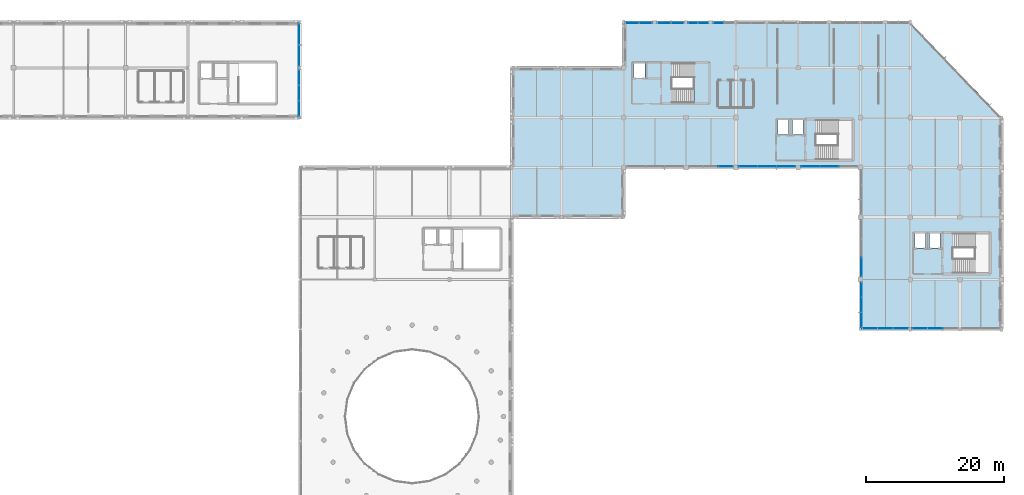
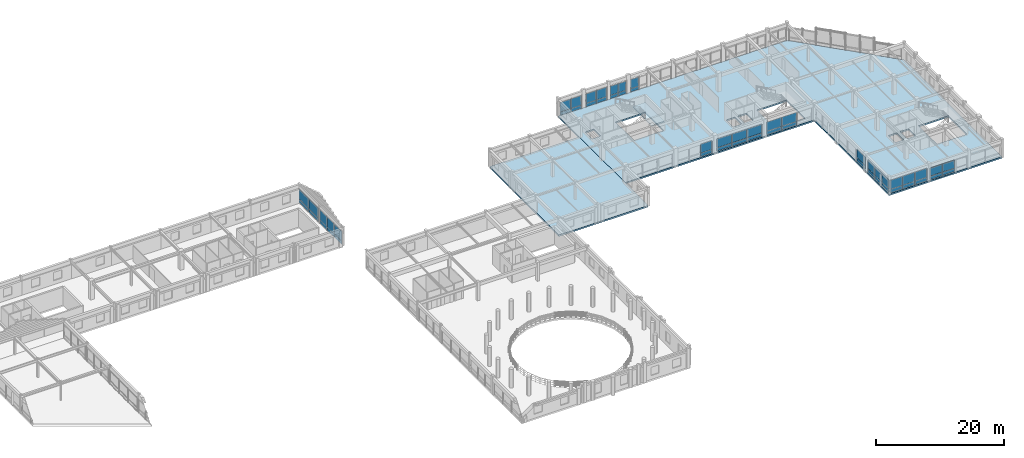
# One storey, part 34 of 52: 54 plates, 3 slabs, 14 elements without a shape of their own.
"""IFC4 building model written with IfcOpenShell, lengths in metres."""

from ifc_helpers import new_model, si_unit, direction, frame, frame_2d, origin, place, context, subcontext, project, spatial, polyline, rectangle, outline, extrude, material, layer, layer_set, type_object, element, aggregate, save


model = new_model("IFC4")

# Units and contexts
model_context = context("Model", 3, precision=1e-05, world=origin(), true_north=direction((0.0, 1.0)))
body_context = subcontext(model_context, "Body", "Model", "MODEL_VIEW")
ifc_project = project(units=[si_unit("LENGTHUNIT", "METRE"), si_unit("AREAUNIT", "SQUARE_METRE"), si_unit("VOLUMEUNIT", "CUBIC_METRE"), si_unit("PLANEANGLEUNIT", "RADIAN"), si_unit("MASSUNIT", "GRAM", prefix="KILO")], contexts=[model_context])

# Site, building, storey
site_placement = place(None, origin())
site = spatial("IfcSite", under=ifc_project, at=site_placement, CompositionType="ELEMENT")
building_placement = place(site_placement, origin())
building = spatial("IfcBuilding", under=site, at=building_placement, Name="Clarverna Civic Hall", CompositionType="ELEMENT")
storey_placement = place(building_placement, frame((0.0, 0.0, 16.800048828125)))
storey = spatial("IfcBuildingStorey", under=building, at=storey_placement, Name="L04", CompositionType="ELEMENT", Elevation=16.800048828125)

# Curtain wall, plates
ifc_material_1 = material(Name="Anodised Bronze Architectural Aluminium", Category="aluminium")
curtain_wall_type_1 = type_object("IfcCurtainWallType", Name="CW-01", PredefinedType="USERDEFINED", material=ifc_material_1)
curtain_wall_1_placement = place(storey_placement, origin())
curtain_wall_1 = element("IfcCurtainWall", 1, at=curtain_wall_1_placement, inside=storey, type_object=curtain_wall_type_1, Name="CW-01-077", ObjectType="UNITISED CURTAIN WALL", PredefinedType="USERDEFINED")
ifc_material_2 = material(Name="Solar-Control Argon Low-E Double Glazing", Category="glass")
ifc_layer_1 = layer(ifc_material_2, 0.031982421875)
ifc_layer_set_1 = layer_set([ifc_layer_1], Name="Solar-Control Argon Low-E Double Glazing")
plate_type_1 = type_object("IfcPlateType", Name="CWP-01", PredefinedType="CURTAIN_PANEL", material=ifc_layer_set_1)
plate_1_placement = place(storey_placement, frame((113.68798828125, 115.860107421875, 0.764892578125), z_axis=(0.0, 0.0, 1.0), x_axis=(1.0, 0.0, 0.0)))
plate_1 = element("IfcPlate", 2, at=plate_1_placement, type_object=plate_type_1, Name="CWP-01-484", PredefinedType="CURTAIN_PANEL", context=body_context, shape_type="SweptSolid", body=[
    extrude(rectangle(XDim=1.884521484375, YDim=0.031982421875, at=frame_2d((0.9423828125, 0.0))), origin(), (0.0, 0.0, 1.0), 1.824951171875),
])
plate_2_placement = place(storey_placement, frame((115.6025390625, 115.860107421875, 0.764892578125), z_axis=(0.0, 0.0, 1.0), x_axis=(1.0, 0.0, 0.0)))
plate_2 = element("IfcPlate", 3, at=plate_2_placement, type_object=plate_type_1, Name="CWP-01-485", PredefinedType="CURTAIN_PANEL", context=body_context, shape_type="SweptSolid", body=[
    extrude(rectangle(XDim=1.884521484375, YDim=0.031982421875, at=frame_2d((0.9423828125, 0.0))), origin(), (0.0, 0.0, 1.0), 1.824951171875),
])

curtain_wall_2_placement = place(storey_placement, origin())
curtain_wall_2 = element("IfcCurtainWall", 4, at=curtain_wall_2_placement, inside=storey, type_object=curtain_wall_type_1, Name="CW-01-078", ObjectType="UNITISED CURTAIN WALL", PredefinedType="USERDEFINED")
plate_3_placement = place(storey_placement, frame((118.31298828125, 115.860107421875, 0.764892578125), z_axis=(0.0, 0.0, 1.0), x_axis=(1.0, 0.0, 0.0)))
plate_3 = element("IfcPlate", 5, at=plate_3_placement, type_object=plate_type_1, Name="CWP-01-486", PredefinedType="CURTAIN_PANEL", context=body_context, shape_type="SweptSolid", body=[
    extrude(rectangle(XDim=1.8720703125, YDim=0.031982421875, at=frame_2d((0.93603515625, 0.0))), origin(), (0.0, 0.0, 1.0), 1.824951171875),
])
plate_4_placement = place(storey_placement, frame((120.215087890625, 115.860107421875, 0.764892578125), z_axis=(0.0, 0.0, 1.0), x_axis=(1.0, 0.0, 0.0)))
plate_4 = element("IfcPlate", 6, at=plate_4_placement, type_object=plate_type_1, Name="CWP-01-487", PredefinedType="CURTAIN_PANEL", context=body_context, shape_type="SweptSolid", body=[
    extrude(rectangle(XDim=1.871826171875, YDim=0.031982421875, at=frame_2d((0.93603515625, 0.0))), origin(), (0.0, 0.0, 1.0), 1.824951171875),
])

curtain_wall_3_placement = place(storey_placement, origin())
curtain_wall_3 = element("IfcCurtainWall", 7, at=curtain_wall_3_placement, inside=storey, type_object=curtain_wall_type_1, Name="CW-01-079", ObjectType="UNITISED CURTAIN WALL", PredefinedType="USERDEFINED")
plate_5_placement = place(storey_placement, frame((122.712890625, 115.860107421875, 0.764892578125), z_axis=(0.0, 0.0, 1.0), x_axis=(1.0, 0.0, 0.0)))
plate_5 = element("IfcPlate", 8, at=plate_5_placement, type_object=plate_type_1, Name="CWP-01-488", PredefinedType="CURTAIN_PANEL", context=body_context, shape_type="SweptSolid", body=[
    extrude(rectangle(XDim=1.422119140625, YDim=0.031982421875, at=frame_2d((0.7109375, 0.0))), origin(), (0.0, 0.0, 1.0), 1.72509765625),
])
plate_6_placement = place(storey_placement, frame((124.1650390625, 115.860107421875, 0.764892578125), z_axis=(0.0, 0.0, 1.0), x_axis=(1.0, 0.0, 0.0)))
plate_6 = element("IfcPlate", 9, at=plate_6_placement, type_object=plate_type_1, Name="CWP-01-489", PredefinedType="CURTAIN_PANEL", context=body_context, shape_type="SweptSolid", body=[
    extrude(rectangle(XDim=1.421875, YDim=0.031982421875, at=frame_2d((0.7109375, 0.0))), origin(), (0.0, 0.0, 1.0), 1.72509765625),
])

# Curtain wall, plate
curtain_wall_4_placement = place(storey_placement, origin())
curtain_wall_4 = element("IfcCurtainWall", 10, at=curtain_wall_4_placement, inside=storey, type_object=curtain_wall_type_1, Name="CW-01-080", ObjectType="UNITISED CURTAIN WALL", PredefinedType="USERDEFINED")
plate_7_placement = place(storey_placement, frame((126.4130859375, 115.860107421875, 0.764892578125), z_axis=(0.0, 0.0, 1.0), x_axis=(1.0, 0.0, 0.0)))
plate_7 = element("IfcPlate", 11, at=plate_7_placement, type_object=plate_type_1, Name="CWP-01-490", PredefinedType="CURTAIN_PANEL", context=body_context, shape_type="SweptSolid", body=[
    extrude(rectangle(XDim=1.434326171875, YDim=0.031982421875, at=frame_2d((0.71728515625, 0.0))), origin(), (0.0, 0.0, 1.0), 1.72509765625),
])

# Curtain wall, plates
curtain_wall_5_placement = place(storey_placement, origin())
curtain_wall_5 = element("IfcCurtainWall", 12, at=curtain_wall_5_placement, inside=storey, type_object=curtain_wall_type_1, Name="CW-01-092", ObjectType="UNITISED CURTAIN WALL", PredefinedType="USERDEFINED")
plate_8_placement = place(storey_placement, frame((159.477294921875, 71.739990234375, 0.764892578125), z_axis=(0.0, 0.0, 1.0), x_axis=(-1.0, 0.0, 0.0)))
plate_8 = element("IfcPlate", 13, at=plate_8_placement, type_object=plate_type_1, Name="CWP-01-515", PredefinedType="CURTAIN_PANEL", context=body_context, shape_type="SweptSolid", body=[
    extrude(rectangle(XDim=2.1796875, YDim=0.031982421875, at=frame_2d((1.08984375, 0.0))), origin(), (0.0, 0.0, 1.0), 1.545166015625),
])
plate_9_placement = place(storey_placement, frame((157.267578125, 71.739990234375, 0.764892578125), z_axis=(0.0, 0.0, 1.0), x_axis=(-1.0, 0.0, 0.0)))
plate_9 = element("IfcPlate", 14, at=plate_9_placement, type_object=plate_type_1, Name="CWP-01-516", PredefinedType="CURTAIN_PANEL", context=body_context, shape_type="SweptSolid", body=[
    extrude(rectangle(XDim=2.1796875, YDim=0.031982421875, at=frame_2d((1.08984375, 0.0))), origin(), (0.0, 0.0, 1.0), 1.545166015625),
])

curtain_wall_6_placement = place(storey_placement, origin())
curtain_wall_6 = element("IfcCurtainWall", 15, at=curtain_wall_6_placement, inside=storey, type_object=curtain_wall_type_1, Name="CW-01-093", ObjectType="UNITISED CURTAIN WALL", PredefinedType="USERDEFINED")
plate_10_placement = place(storey_placement, frame((154.511962890625, 71.739990234375, 0.764892578125), z_axis=(0.0, 0.0, 1.0), x_axis=(-1.0, 0.0, 0.0)))
plate_10 = element("IfcPlate", 16, at=plate_10_placement, type_object=plate_type_1, Name="CWP-01-517", PredefinedType="CURTAIN_PANEL", context=body_context, shape_type="SweptSolid", body=[
    extrude(rectangle(XDim=2.18798828125, YDim=0.031982421875, at=frame_2d((1.093994140625, 0.0))), origin(), (0.0, 0.0, 1.0), 1.72509765625),
])
plate_11_placement = place(storey_placement, frame((152.2939453125, 71.739990234375, 0.764892578125), z_axis=(0.0, 0.0, 1.0), x_axis=(-1.0, 0.0, 0.0)))
plate_11 = element("IfcPlate", 17, at=plate_11_placement, type_object=plate_type_1, Name="CWP-01-518", PredefinedType="CURTAIN_PANEL", context=body_context, shape_type="SweptSolid", body=[
    extrude(rectangle(XDim=2.18798828125, YDim=0.031982421875, at=frame_2d((1.093994140625, 0.0))), origin(), (0.0, 0.0, 1.0), 1.72509765625),
])
plate_12_placement = place(storey_placement, frame((150.075927734375, 71.739990234375, 0.764892578125), z_axis=(0.0, 0.0, 1.0), x_axis=(-1.0, 0.0, 0.0)))
plate_12 = element("IfcPlate", 18, at=plate_12_placement, type_object=plate_type_1, Name="CWP-01-519", PredefinedType="CURTAIN_PANEL", context=body_context, shape_type="SweptSolid", body=[
    extrude(rectangle(XDim=2.18798828125, YDim=0.031982421875, at=frame_2d((1.093994140625, 0.0))), origin(), (0.0, 0.0, 1.0), 1.72509765625),
])

curtain_wall_7_placement = place(storey_placement, origin())
curtain_wall_7 = element("IfcCurtainWall", 19, at=curtain_wall_7_placement, inside=storey, type_object=curtain_wall_type_1, Name="CW-01-094", ObjectType="UNITISED CURTAIN WALL", PredefinedType="USERDEFINED")
plate_13_placement = place(storey_placement, frame((147.739990234375, 71.887939453125, 0.764892578125), z_axis=(0.0, 0.0, 1.0), x_axis=(0.0, 1.0, 0.0)))
plate_13 = element("IfcPlate", 20, at=plate_13_placement, type_object=plate_type_1, Name="CWP-01-520", PredefinedType="CURTAIN_PANEL", context=body_context, shape_type="SweptSolid", body=[
    extrude(rectangle(XDim=2.137939453125, YDim=0.031982421875, at=frame_2d((1.06884765625, 0.0))), origin(), (0.0, 0.0, 1.0), 1.72509765625),
])
plate_14_placement = place(storey_placement, frame((147.739990234375, 74.055908203125, 0.764892578125), z_axis=(0.0, 0.0, 1.0), x_axis=(0.0, 1.0, 0.0)))
plate_14 = element("IfcPlate", 21, at=plate_14_placement, type_object=plate_type_1, Name="CWP-01-521", PredefinedType="CURTAIN_PANEL", context=body_context, shape_type="SweptSolid", body=[
    extrude(rectangle(XDim=2.13818359375, YDim=0.031982421875, at=frame_2d((1.069091796875, 0.0))), origin(), (0.0, 0.0, 1.0), 1.72509765625),
])
plate_15_placement = place(storey_placement, frame((147.739990234375, 76.22412109375, 0.764892578125), z_axis=(0.0, 0.0, 1.0), x_axis=(0.0, 1.0, 0.0)))
plate_15 = element("IfcPlate", 22, at=plate_15_placement, type_object=plate_type_1, Name="CWP-01-522", PredefinedType="CURTAIN_PANEL", context=body_context, shape_type="SweptSolid", body=[
    extrude(rectangle(XDim=2.137939453125, YDim=0.031982421875, at=frame_2d((1.06884765625, 0.0))), origin(), (0.0, 0.0, 1.0), 1.72509765625),
])

# Curtain wall, plate
curtain_wall_8_placement = place(storey_placement, origin())
curtain_wall_8 = element("IfcCurtainWall", 23, at=curtain_wall_8_placement, inside=storey, type_object=curtain_wall_type_1, Name="CW-01-095", ObjectType="UNITISED CURTAIN WALL", PredefinedType="USERDEFINED")
plate_16_placement = place(storey_placement, frame((147.739990234375, 79.238037109375, 0.764892578125), z_axis=(0.0, 0.0, 1.0), x_axis=(0.0, 1.0, 0.0)))
plate_16 = element("IfcPlate", 24, at=plate_16_placement, type_object=plate_type_1, Name="CWP-01-523", PredefinedType="CURTAIN_PANEL", context=body_context, shape_type="SweptSolid", body=[
    extrude(rectangle(XDim=2.68798828125, YDim=0.031982421875, at=frame_2d((1.343994140625, 0.0))), origin(), (0.0, 0.0, 1.0), 1.64501953125),
])

# Curtain wall, plates
curtain_wall_9_placement = place(storey_placement, origin())
curtain_wall_9 = element("IfcCurtainWall", 25, at=curtain_wall_9_placement, inside=storey, type_object=curtain_wall_type_1, Name="CW-01-097", ObjectType="UNITISED CURTAIN WALL", PredefinedType="USERDEFINED")
plate_17_placement = place(storey_placement, frame((144.444091796875, 95.139892578125, 0.764892578125), z_axis=(0.0, 0.0, 1.0), x_axis=(-1.0, 0.0, 0.0)))
plate_17 = element("IfcPlate", 26, at=plate_17_placement, type_object=plate_type_1, Name="CWP-01-530", PredefinedType="CURTAIN_PANEL", context=body_context, shape_type="SweptSolid", body=[
    extrude(rectangle(XDim=2.68798828125, YDim=0.031982421875, at=frame_2d((1.343994140625, 0.0))), origin(), (0.0, 0.0, 1.0), 1.7451171875),
])
plate_18_placement = place(storey_placement, frame((141.72607421875, 95.139892578125, 0.764892578125), z_axis=(0.0, 0.0, 1.0), x_axis=(-1.0, 0.0, 0.0)))
plate_18 = element("IfcPlate", 27, at=plate_18_placement, type_object=plate_type_1, Name="CWP-01-531", PredefinedType="CURTAIN_PANEL", context=body_context, shape_type="SweptSolid", body=[
    extrude(rectangle(XDim=2.68798828125, YDim=0.031982421875, at=frame_2d((1.343994140625, 0.0))), origin(), (0.0, 0.0, 1.0), 1.7451171875),
])

curtain_wall_10_placement = place(storey_placement, origin())
curtain_wall_10 = element("IfcCurtainWall", 28, at=curtain_wall_10_placement, inside=storey, type_object=curtain_wall_type_1, Name="CW-01-098", ObjectType="UNITISED CURTAIN WALL", PredefinedType="USERDEFINED")
plate_19_placement = place(storey_placement, frame((138.162109375, 95.139892578125, 0.764892578125), z_axis=(0.0, 0.0, 1.0), x_axis=(-1.0, 0.0, 0.0)))
plate_19 = element("IfcPlate", 29, at=plate_19_placement, type_object=plate_type_1, Name="CWP-01-532", PredefinedType="CURTAIN_PANEL", context=body_context, shape_type="SweptSolid", body=[
    extrude(rectangle(XDim=2.68798828125, YDim=0.031982421875, at=frame_2d((1.343994140625, 0.0))), origin(), (0.0, 0.0, 1.0), 1.695068359375),
])
plate_20_placement = place(storey_placement, frame((135.444091796875, 95.139892578125, 0.764892578125), z_axis=(0.0, 0.0, 1.0), x_axis=(-1.0, 0.0, 0.0)))
plate_20 = element("IfcPlate", 30, at=plate_20_placement, type_object=plate_type_1, Name="CWP-01-533", PredefinedType="CURTAIN_PANEL", context=body_context, shape_type="SweptSolid", body=[
    extrude(rectangle(XDim=2.68798828125, YDim=0.031982421875, at=frame_2d((1.343994140625, 0.0))), origin(), (0.0, 0.0, 1.0), 1.695068359375),
])
plate_21_placement = place(storey_placement, frame((132.72607421875, 95.139892578125, 0.764892578125), z_axis=(0.0, 0.0, 1.0), x_axis=(-1.0, 0.0, 0.0)))
plate_21 = element("IfcPlate", 31, at=plate_21_placement, type_object=plate_type_1, Name="CWP-01-534", PredefinedType="CURTAIN_PANEL", context=body_context, shape_type="SweptSolid", body=[
    extrude(rectangle(XDim=2.68798828125, YDim=0.031982421875, at=frame_2d((1.343994140625, 0.0))), origin(), (0.0, 0.0, 1.0), 1.695068359375),
])

# Curtain wall, plate
curtain_wall_11_placement = place(storey_placement, origin())
curtain_wall_11 = element("IfcCurtainWall", 32, at=curtain_wall_11_placement, inside=storey, type_object=curtain_wall_type_1, Name="CW-01-099", ObjectType="UNITISED CURTAIN WALL", PredefinedType="USERDEFINED")
plate_22_placement = place(storey_placement, frame((129.162109375, 95.139892578125, 0.764892578125), z_axis=(0.0, 0.0, 1.0), x_axis=(-1.0, 0.0, 0.0)))
plate_22 = element("IfcPlate", 33, at=plate_22_placement, type_object=plate_type_1, Name="CWP-01-535", PredefinedType="CURTAIN_PANEL", context=body_context, shape_type="SweptSolid", body=[
    extrude(rectangle(XDim=2.088134765625, YDim=0.031982421875, at=frame_2d((1.0439453125, 0.0))), origin(), (0.0, 0.0, 1.0), 1.695068359375),
])

# Curtain wall, plates
curtain_wall_type_2 = type_object("IfcCurtainWallType", Name="CW-05", PredefinedType="USERDEFINED", material=ifc_material_1)
curtain_wall_12_placement = place(storey_placement, origin())
curtain_wall_12 = element("IfcCurtainWall", 34, at=curtain_wall_12_placement, inside=storey, type_object=curtain_wall_type_2, Name="CW-05-030", ObjectType="UNITISED CURTAIN WALL", PredefinedType="USERDEFINED")
plate_23_placement = place(storey_placement, frame((66.43505859375, 115.741943359375, 0.764892578125), z_axis=(0.0, 0.0, 1.0), x_axis=(0.0, -1.0, 0.0)))
plate_23 = element("IfcPlate", 35, at=plate_23_placement, type_object=plate_type_1, Name="CWP-01-561", PredefinedType="CURTAIN_PANEL", context=body_context, shape_type="SweptSolid", body=[
    extrude(rectangle(XDim=3.02197265625, YDim=0.031982421875, at=frame_2d((1.510986328125, 0.0))), origin(), (0.0, 0.0, 1.0), 1.864990234375),
])
plate_24_placement = place(storey_placement, frame((66.43505859375, 112.68994140625, 0.764892578125), z_axis=(0.0, 0.0, 1.0), x_axis=(0.0, -1.0, 0.0)))
plate_24 = element("IfcPlate", 36, at=plate_24_placement, type_object=plate_type_1, Name="CWP-01-562", PredefinedType="CURTAIN_PANEL", context=body_context, shape_type="SweptSolid", body=[
    extrude(rectangle(XDim=3.02197265625, YDim=0.031982421875, at=frame_2d((1.510986328125, 0.0))), origin(), (0.0, 0.0, 1.0), 1.864990234375),
])

curtain_wall_13_placement = place(storey_placement, origin())
curtain_wall_13 = element("IfcCurtainWall", 37, at=curtain_wall_13_placement, inside=storey, type_object=curtain_wall_type_2, Name="CW-05-031", ObjectType="UNITISED CURTAIN WALL", PredefinedType="USERDEFINED")
plate_25_placement = place(storey_placement, frame((66.43505859375, 109.132080078125, 0.764892578125), z_axis=(0.0, 0.0, 1.0), x_axis=(0.0, -1.0, 0.0)))
plate_25 = element("IfcPlate", 38, at=plate_25_placement, type_object=plate_type_1, Name="CWP-01-563", PredefinedType="CURTAIN_PANEL", context=body_context, shape_type="SweptSolid", body=[
    extrude(rectangle(XDim=2.2197265625, YDim=0.031982421875, at=frame_2d((1.10986328125, 0.0))), origin(), (0.0, 0.0, 1.0), 1.864990234375),
])
plate_26_placement = place(storey_placement, frame((66.43505859375, 106.88232421875, 0.764892578125), z_axis=(0.0, 0.0, 1.0), x_axis=(0.0, -1.0, 0.0)))
plate_26 = element("IfcPlate", 39, at=plate_26_placement, type_object=plate_type_1, Name="CWP-01-564", PredefinedType="CURTAIN_PANEL", context=body_context, shape_type="SweptSolid", body=[
    extrude(rectangle(XDim=2.2197265625, YDim=0.031982421875, at=frame_2d((1.10986328125, 0.0))), origin(), (0.0, 0.0, 1.0), 1.864990234375),
])
plate_27_placement = place(storey_placement, frame((66.43505859375, 104.6328125, 0.764892578125), z_axis=(0.0, 0.0, 1.0), x_axis=(0.0, -1.0, 0.0)))
plate_27 = element("IfcPlate", 40, at=plate_27_placement, type_object=plate_type_1, Name="CWP-01-565", PredefinedType="CURTAIN_PANEL", context=body_context, shape_type="SweptSolid", body=[
    extrude(rectangle(XDim=2.2197265625, YDim=0.031982421875, at=frame_2d((1.10986328125, 0.0))), origin(), (0.0, 0.0, 1.0), 1.864990234375),
])

# Plate
ifc_material_3 = material(Name="Insulated Anodised Bronze Spandrel Panel", Category="aluminium")
ifc_layer_2 = layer(ifc_material_3, 0.048095703125)
ifc_layer_set_2 = layer_set([ifc_layer_2], Name="Insulated Anodised Bronze Spandrel Panel")
plate_type_2 = type_object("IfcPlateType", Name="CWP-03", PredefinedType="CURTAIN_PANEL", material=ifc_layer_set_2)
plate_28_placement = place(storey_placement, frame((113.68798828125, 115.860107421875, 0.10986328125), z_axis=(0.0, 0.0, 1.0), x_axis=(1.0, 0.0, 0.0)))
plate_28 = element("IfcPlate", 41, at=plate_28_placement, type_object=plate_type_2, Name="CWP-03-486", PredefinedType="CURTAIN_PANEL", context=body_context, shape_type="SweptSolid", body=[
    extrude(rectangle(XDim=1.884521484375, YDim=0.048095703125, at=frame_2d((0.9423828125, 0.0))), origin(), (0.0, 0.0, 1.0), 0.625),
])

plate_29_placement = place(storey_placement, frame((115.6025390625, 115.860107421875, 0.10986328125), z_axis=(0.0, 0.0, 1.0), x_axis=(1.0, 0.0, 0.0)))
plate_29 = element("IfcPlate", 42, at=plate_29_placement, type_object=plate_type_2, Name="CWP-03-487", PredefinedType="CURTAIN_PANEL", context=body_context, shape_type="SweptSolid", body=[
    extrude(rectangle(XDim=1.884521484375, YDim=0.048095703125, at=frame_2d((0.9423828125, 0.0))), origin(), (0.0, 0.0, 1.0), 0.625),
])

aggregate(curtain_wall_1, [plate_28, plate_1, plate_29, plate_2])

plate_30_placement = place(storey_placement, frame((118.31298828125, 115.860107421875, 0.10986328125), z_axis=(0.0, 0.0, 1.0), x_axis=(1.0, 0.0, 0.0)))
plate_30 = element("IfcPlate", 43, at=plate_30_placement, type_object=plate_type_2, Name="CWP-03-488", PredefinedType="CURTAIN_PANEL", context=body_context, shape_type="SweptSolid", body=[
    extrude(rectangle(XDim=1.8720703125, YDim=0.048095703125, at=frame_2d((0.93603515625, 0.0))), origin(), (0.0, 0.0, 1.0), 0.625),
])

plate_31_placement = place(storey_placement, frame((120.215087890625, 115.860107421875, 0.10986328125), z_axis=(0.0, 0.0, 1.0), x_axis=(1.0, 0.0, 0.0)))
plate_31 = element("IfcPlate", 44, at=plate_31_placement, type_object=plate_type_2, Name="CWP-03-489", PredefinedType="CURTAIN_PANEL", context=body_context, shape_type="SweptSolid", body=[
    extrude(rectangle(XDim=1.871826171875, YDim=0.048095703125, at=frame_2d((0.93603515625, 0.0))), origin(), (0.0, 0.0, 1.0), 0.625),
])

aggregate(curtain_wall_2, [plate_30, plate_3, plate_31, plate_4])

plate_32_placement = place(storey_placement, frame((122.712890625, 115.860107421875, 0.10986328125), z_axis=(0.0, 0.0, 1.0), x_axis=(1.0, 0.0, 0.0)))
plate_32 = element("IfcPlate", 45, at=plate_32_placement, type_object=plate_type_2, Name="CWP-03-490", PredefinedType="CURTAIN_PANEL", context=body_context, shape_type="SweptSolid", body=[
    extrude(rectangle(XDim=1.422119140625, YDim=0.048095703125, at=frame_2d((0.7109375, 0.0))), origin(), (0.0, 0.0, 1.0), 0.625),
])

plate_33_placement = place(storey_placement, frame((124.1650390625, 115.860107421875, 0.10986328125), z_axis=(0.0, 0.0, 1.0), x_axis=(1.0, 0.0, 0.0)))
plate_33 = element("IfcPlate", 46, at=plate_33_placement, type_object=plate_type_2, Name="CWP-03-491", PredefinedType="CURTAIN_PANEL", context=body_context, shape_type="SweptSolid", body=[
    extrude(rectangle(XDim=1.421875, YDim=0.048095703125, at=frame_2d((0.7109375, 0.0))), origin(), (0.0, 0.0, 1.0), 0.625),
])

aggregate(curtain_wall_3, [plate_32, plate_5, plate_33, plate_6])

plate_34_placement = place(storey_placement, frame((126.4130859375, 115.860107421875, 0.10986328125), z_axis=(0.0, 0.0, 1.0), x_axis=(1.0, 0.0, 0.0)))
plate_34 = element("IfcPlate", 47, at=plate_34_placement, type_object=plate_type_2, Name="CWP-03-492", PredefinedType="CURTAIN_PANEL", context=body_context, shape_type="SweptSolid", body=[
    extrude(rectangle(XDim=1.434326171875, YDim=0.048095703125, at=frame_2d((0.71728515625, 0.0))), origin(), (0.0, 0.0, 1.0), 0.625),
])

aggregate(curtain_wall_4, [plate_34, plate_7])

plate_35_placement = place(storey_placement, frame((159.477294921875, 71.739990234375, 0.10986328125), z_axis=(0.0, 0.0, 1.0), x_axis=(-1.0, 0.0, 0.0)))
plate_35 = element("IfcPlate", 48, at=plate_35_placement, type_object=plate_type_2, Name="CWP-03-517", PredefinedType="CURTAIN_PANEL", context=body_context, shape_type="SweptSolid", body=[
    extrude(rectangle(XDim=2.1796875, YDim=0.048095703125, at=frame_2d((1.08984375, 0.0))), origin(), (0.0, 0.0, 1.0), 0.625),
])

plate_36_placement = place(storey_placement, frame((157.267578125, 71.739990234375, 0.10986328125), z_axis=(0.0, 0.0, 1.0), x_axis=(-1.0, 0.0, 0.0)))
plate_36 = element("IfcPlate", 49, at=plate_36_placement, type_object=plate_type_2, Name="CWP-03-518", PredefinedType="CURTAIN_PANEL", context=body_context, shape_type="SweptSolid", body=[
    extrude(rectangle(XDim=2.1796875, YDim=0.048095703125, at=frame_2d((1.08984375, 0.0))), origin(), (0.0, 0.0, 1.0), 0.625),
])

aggregate(curtain_wall_5, [plate_35, plate_8, plate_36, plate_9])

plate_37_placement = place(storey_placement, frame((154.511962890625, 71.739990234375, 0.10986328125), z_axis=(0.0, 0.0, 1.0), x_axis=(-1.0, 0.0, 0.0)))
plate_37 = element("IfcPlate", 50, at=plate_37_placement, type_object=plate_type_2, Name="CWP-03-519", PredefinedType="CURTAIN_PANEL", context=body_context, shape_type="SweptSolid", body=[
    extrude(rectangle(XDim=2.18798828125, YDim=0.048095703125, at=frame_2d((1.093994140625, 0.0))), origin(), (0.0, 0.0, 1.0), 0.625),
])

plate_38_placement = place(storey_placement, frame((152.2939453125, 71.739990234375, 0.10986328125), z_axis=(0.0, 0.0, 1.0), x_axis=(-1.0, 0.0, 0.0)))
plate_38 = element("IfcPlate", 51, at=plate_38_placement, type_object=plate_type_2, Name="CWP-03-520", PredefinedType="CURTAIN_PANEL", context=body_context, shape_type="SweptSolid", body=[
    extrude(rectangle(XDim=2.18798828125, YDim=0.048095703125, at=frame_2d((1.093994140625, 0.0))), origin(), (0.0, 0.0, 1.0), 0.625),
])

plate_39_placement = place(storey_placement, frame((150.075927734375, 71.739990234375, 0.10986328125), z_axis=(0.0, 0.0, 1.0), x_axis=(-1.0, 0.0, 0.0)))
plate_39 = element("IfcPlate", 52, at=plate_39_placement, type_object=plate_type_2, Name="CWP-03-521", PredefinedType="CURTAIN_PANEL", context=body_context, shape_type="SweptSolid", body=[
    extrude(rectangle(XDim=2.18798828125, YDim=0.048095703125, at=frame_2d((1.093994140625, 0.0))), origin(), (0.0, 0.0, 1.0), 0.625),
])

aggregate(curtain_wall_6, [plate_37, plate_10, plate_38, plate_11, plate_39, plate_12])

plate_40_placement = place(storey_placement, frame((147.739990234375, 71.887939453125, 0.10986328125), z_axis=(0.0, 0.0, 1.0), x_axis=(0.0, 1.0, 0.0)))
plate_40 = element("IfcPlate", 53, at=plate_40_placement, type_object=plate_type_2, Name="CWP-03-522", PredefinedType="CURTAIN_PANEL", context=body_context, shape_type="SweptSolid", body=[
    extrude(rectangle(XDim=2.137939453125, YDim=0.048095703125, at=frame_2d((1.06884765625, 0.0))), origin(), (0.0, 0.0, 1.0), 0.625),
])

plate_41_placement = place(storey_placement, frame((147.739990234375, 74.055908203125, 0.10986328125), z_axis=(0.0, 0.0, 1.0), x_axis=(0.0, 1.0, 0.0)))
plate_41 = element("IfcPlate", 54, at=plate_41_placement, type_object=plate_type_2, Name="CWP-03-523", PredefinedType="CURTAIN_PANEL", context=body_context, shape_type="SweptSolid", body=[
    extrude(rectangle(XDim=2.13818359375, YDim=0.048095703125, at=frame_2d((1.069091796875, 0.0))), origin(), (0.0, 0.0, 1.0), 0.625),
])

plate_42_placement = place(storey_placement, frame((147.739990234375, 76.22412109375, 0.10986328125), z_axis=(0.0, 0.0, 1.0), x_axis=(0.0, 1.0, 0.0)))
plate_42 = element("IfcPlate", 55, at=plate_42_placement, type_object=plate_type_2, Name="CWP-03-524", PredefinedType="CURTAIN_PANEL", context=body_context, shape_type="SweptSolid", body=[
    extrude(rectangle(XDim=2.137939453125, YDim=0.048095703125, at=frame_2d((1.06884765625, 0.0))), origin(), (0.0, 0.0, 1.0), 0.625),
])

aggregate(curtain_wall_7, [plate_40, plate_13, plate_41, plate_14, plate_42, plate_15])

plate_43_placement = place(storey_placement, frame((147.739990234375, 79.238037109375, 0.10986328125), z_axis=(0.0, 0.0, 1.0), x_axis=(0.0, 1.0, 0.0)))
plate_43 = element("IfcPlate", 56, at=plate_43_placement, type_object=plate_type_2, Name="CWP-03-525", PredefinedType="CURTAIN_PANEL", context=body_context, shape_type="SweptSolid", body=[
    extrude(rectangle(XDim=2.68798828125, YDim=0.048095703125, at=frame_2d((1.343994140625, 0.0))), origin(), (0.0, 0.0, 1.0), 0.625),
])

aggregate(curtain_wall_8, [plate_43, plate_16])

plate_44_placement = place(storey_placement, frame((144.444091796875, 95.139892578125, 0.10986328125), z_axis=(0.0, 0.0, 1.0), x_axis=(-1.0, 0.0, 0.0)))
plate_44 = element("IfcPlate", 57, at=plate_44_placement, type_object=plate_type_2, Name="CWP-03-532", PredefinedType="CURTAIN_PANEL", context=body_context, shape_type="SweptSolid", body=[
    extrude(rectangle(XDim=2.68798828125, YDim=0.048095703125, at=frame_2d((1.343994140625, 0.0))), origin(), (0.0, 0.0, 1.0), 0.625),
])

plate_45_placement = place(storey_placement, frame((141.72607421875, 95.139892578125, 0.10986328125), z_axis=(0.0, 0.0, 1.0), x_axis=(-1.0, 0.0, 0.0)))
plate_45 = element("IfcPlate", 58, at=plate_45_placement, type_object=plate_type_2, Name="CWP-03-533", PredefinedType="CURTAIN_PANEL", context=body_context, shape_type="SweptSolid", body=[
    extrude(rectangle(XDim=2.68798828125, YDim=0.048095703125, at=frame_2d((1.343994140625, 0.0))), origin(), (0.0, 0.0, 1.0), 0.625),
])

aggregate(curtain_wall_9, [plate_44, plate_17, plate_45, plate_18])

plate_46_placement = place(storey_placement, frame((138.162109375, 95.139892578125, 0.10986328125), z_axis=(0.0, 0.0, 1.0), x_axis=(-1.0, 0.0, 0.0)))
plate_46 = element("IfcPlate", 59, at=plate_46_placement, type_object=plate_type_2, Name="CWP-03-534", PredefinedType="CURTAIN_PANEL", context=body_context, shape_type="SweptSolid", body=[
    extrude(rectangle(XDim=2.68798828125, YDim=0.048095703125, at=frame_2d((1.343994140625, 0.0))), origin(), (0.0, 0.0, 1.0), 0.625),
])

plate_47_placement = place(storey_placement, frame((135.444091796875, 95.139892578125, 0.10986328125), z_axis=(0.0, 0.0, 1.0), x_axis=(-1.0, 0.0, 0.0)))
plate_47 = element("IfcPlate", 60, at=plate_47_placement, type_object=plate_type_2, Name="CWP-03-535", PredefinedType="CURTAIN_PANEL", context=body_context, shape_type="SweptSolid", body=[
    extrude(rectangle(XDim=2.68798828125, YDim=0.048095703125, at=frame_2d((1.343994140625, 0.0))), origin(), (0.0, 0.0, 1.0), 0.625),
])

plate_48_placement = place(storey_placement, frame((132.72607421875, 95.139892578125, 0.10986328125), z_axis=(0.0, 0.0, 1.0), x_axis=(-1.0, 0.0, 0.0)))
plate_48 = element("IfcPlate", 61, at=plate_48_placement, type_object=plate_type_2, Name="CWP-03-536", PredefinedType="CURTAIN_PANEL", context=body_context, shape_type="SweptSolid", body=[
    extrude(rectangle(XDim=2.68798828125, YDim=0.048095703125, at=frame_2d((1.343994140625, 0.0))), origin(), (0.0, 0.0, 1.0), 0.625),
])

aggregate(curtain_wall_10, [plate_46, plate_19, plate_47, plate_20, plate_48, plate_21])

plate_49_placement = place(storey_placement, frame((129.162109375, 95.139892578125, 0.10986328125), z_axis=(0.0, 0.0, 1.0), x_axis=(-1.0, 0.0, 0.0)))
plate_49 = element("IfcPlate", 62, at=plate_49_placement, type_object=plate_type_2, Name="CWP-03-537", PredefinedType="CURTAIN_PANEL", context=body_context, shape_type="SweptSolid", body=[
    extrude(rectangle(XDim=2.088134765625, YDim=0.048095703125, at=frame_2d((1.0439453125, 0.0))), origin(), (0.0, 0.0, 1.0), 0.625),
])

aggregate(curtain_wall_11, [plate_49, plate_22])

plate_50_placement = place(storey_placement, frame((66.43505859375, 115.741943359375, 0.10986328125), z_axis=(0.0, 0.0, 1.0), x_axis=(0.0, -1.0, 0.0)))
plate_50 = element("IfcPlate", 63, at=plate_50_placement, type_object=plate_type_2, Name="CWP-03-581", PredefinedType="CURTAIN_PANEL", context=body_context, shape_type="SweptSolid", body=[
    extrude(rectangle(XDim=3.02197265625, YDim=0.048095703125, at=frame_2d((1.510986328125, 0.0))), origin(), (0.0, 0.0, 1.0), 0.625),
])

plate_51_placement = place(storey_placement, frame((66.43505859375, 112.68994140625, 0.10986328125), z_axis=(0.0, 0.0, 1.0), x_axis=(0.0, -1.0, 0.0)))
plate_51 = element("IfcPlate", 64, at=plate_51_placement, type_object=plate_type_2, Name="CWP-03-582", PredefinedType="CURTAIN_PANEL", context=body_context, shape_type="SweptSolid", body=[
    extrude(rectangle(XDim=3.02197265625, YDim=0.048095703125, at=frame_2d((1.510986328125, 0.0))), origin(), (0.0, 0.0, 1.0), 0.625),
])

aggregate(curtain_wall_12, [plate_50, plate_23, plate_51, plate_24])

plate_52_placement = place(storey_placement, frame((66.43505859375, 109.132080078125, 0.10986328125), z_axis=(0.0, 0.0, 1.0), x_axis=(0.0, -1.0, 0.0)))
plate_52 = element("IfcPlate", 65, at=plate_52_placement, type_object=plate_type_2, Name="CWP-03-583", PredefinedType="CURTAIN_PANEL", context=body_context, shape_type="SweptSolid", body=[
    extrude(rectangle(XDim=2.2197265625, YDim=0.048095703125, at=frame_2d((1.10986328125, 0.0))), origin(), (0.0, 0.0, 1.0), 0.625),
])

plate_53_placement = place(storey_placement, frame((66.43505859375, 106.88232421875, 0.10986328125), z_axis=(0.0, 0.0, 1.0), x_axis=(0.0, -1.0, 0.0)))
plate_53 = element("IfcPlate", 66, at=plate_53_placement, type_object=plate_type_2, Name="CWP-03-584", PredefinedType="CURTAIN_PANEL", context=body_context, shape_type="SweptSolid", body=[
    extrude(rectangle(XDim=2.2197265625, YDim=0.048095703125, at=frame_2d((1.10986328125, 0.0))), origin(), (0.0, 0.0, 1.0), 0.625),
])

plate_54_placement = place(storey_placement, frame((66.43505859375, 104.6328125, 0.10986328125), z_axis=(0.0, 0.0, 1.0), x_axis=(0.0, -1.0, 0.0)))
plate_54 = element("IfcPlate", 67, at=plate_54_placement, type_object=plate_type_2, Name="CWP-03-585", PredefinedType="CURTAIN_PANEL", context=body_context, shape_type="SweptSolid", body=[
    extrude(rectangle(XDim=2.2197265625, YDim=0.048095703125, at=frame_2d((1.10986328125, 0.0))), origin(), (0.0, 0.0, 1.0), 0.625),
])

aggregate(curtain_wall_13, [plate_52, plate_25, plate_53, plate_26, plate_54, plate_27])

# Slabs
ifc_material_4 = material(Name="Concrete C30/37", Category="concrete")
ifc_layer_3 = layer(ifc_material_4, 0.300048828125)
ifc_layer_set_3 = layer_set([ifc_layer_3], Name="Concrete C30/37")
slab_type_1 = type_object("IfcSlabType", Name="SL-FL3", PredefinedType="FLOOR", material=ifc_layer_set_3)
slab_1_placement = place(storey_placement, frame((0.0, 0.0, -0.300048828125)))
element("IfcSlab", 68, at=slab_1_placement, inside=storey, type_object=slab_type_1, Name="SL-FL3-002", PredefinedType="FLOOR", context=body_context, shape_type="SweptSolid", body=[
    extrude(outline(polyline([(113.39990234375, 109.39990234375), (97.22509765625, 109.39990234375), (97.22509765625, 87.800048828125), (113.39990234375, 87.800048828125), (113.39990234375, 95.0), (113.39990234375, 109.39990234375)])), origin(), (0.0, 0.0, 1.0), 0.300048828125),
])
ifc_layer_4 = layer(ifc_material_4, 0.280029296875)
ifc_layer_set_4 = layer_set([ifc_layer_4], Name="Concrete C30/37")
slab_type_2 = type_object("IfcSlabType", Name="SL-FL4", PredefinedType="FLOOR", material=ifc_layer_set_4)
slab_2_placement = place(storey_placement, frame((0.0, 0.0, -0.280029296875)))
element("IfcSlab", 69, at=slab_2_placement, inside=storey, type_object=slab_type_2, Name="SL-FL4-022", PredefinedType="FLOOR", context=body_context, shape_type="SweptSolid", body=[
    extrude(outline(polyline([(113.39990234375, 95.0), (147.60009765625, 95.0), (147.60009765625, 71.60009765625), (168.0, 71.60009765625), (168.0, 102.199951171875), (154.800048828125, 116.0), (113.39990234375, 116.0), (113.39990234375, 95.0)]), holes=[polyline([(141.14990234375, 96.1201171875), (146.550048828125, 96.1201171875), (146.550048828125, 101.8798828125), (141.14990234375, 101.8798828125), (141.14990234375, 96.1201171875)]), polyline([(135.669921875, 99.739990234375), (137.22998046875, 99.739990234375), (137.22998046875, 101.89990234375), (135.669921875, 101.89990234375), (135.669921875, 99.739990234375)]), polyline([(137.77001953125, 99.739990234375), (139.330078125, 99.739990234375), (139.330078125, 101.89990234375), (137.77001953125, 101.89990234375), (137.77001953125, 99.739990234375)]), polyline([(160.949951171875, 79.719970703125), (166.35009765625, 79.719970703125), (166.35009765625, 85.47998046875), (160.949951171875, 85.47998046875), (160.949951171875, 79.719970703125)]), polyline([(155.469970703125, 83.340087890625), (157.030029296875, 83.340087890625), (157.030029296875, 85.5), (155.469970703125, 85.5), (155.469970703125, 83.340087890625)]), polyline([(157.570068359375, 83.340087890625), (159.1298828125, 83.340087890625), (159.1298828125, 85.5), (157.570068359375, 85.5), (157.570068359375, 83.340087890625)]), polyline([(120.35009765625, 104.320068359375), (125.75, 104.320068359375), (125.75, 110.080078125), (120.35009765625, 110.080078125), (120.35009765625, 104.320068359375)]), polyline([(114.8701171875, 107.93994140625), (116.429931640625, 107.93994140625), (116.429931640625, 110.10009765625), (114.8701171875, 110.10009765625), (114.8701171875, 107.93994140625)])]), origin(), (0.0, 0.0, 1.0), 0.280029296875),
])

# Stair, slab
stair_type = type_object("IfcStairType", Name="ST-H1", PredefinedType="HALF_TURN_STAIR", material=ifc_material_4)
stair_placement = place(storey_placement, origin())
stair = element("IfcStair", 70, at=stair_placement, inside=storey, type_object=stair_type, Name="ST-H1:L04:0022", PredefinedType="HALF_TURN_STAIR")
ifc_layer_5 = layer(ifc_material_4, 0.199951171875)
ifc_layer_set_5 = layer_set([ifc_layer_5], Name="Concrete C30/37")
slab_type_3 = type_object("IfcSlabType", Name="SL-LD1", PredefinedType="LANDING", material=ifc_layer_set_5)
slab_3_placement = place(storey_placement, frame((0.0, 0.0, 1.599853515625)))
slab_3 = element("IfcSlab", 71, at=slab_3_placement, type_object=slab_type_3, Name="SL-LD1-043", PredefinedType="LANDING", context=body_context, shape_type="SweptSolid", body=[
    extrude(outline(polyline([(123.5400390625, 104.219970703125), (125.85009765625, 104.219970703125), (125.85009765625, 110.179931640625), (123.5400390625, 110.179931640625), (123.5400390625, 104.219970703125)])), origin(), (0.0, 0.0, 1.0), 0.2001953125),
])
aggregate(stair, [slab_3])

save(model, "model.ifc")
